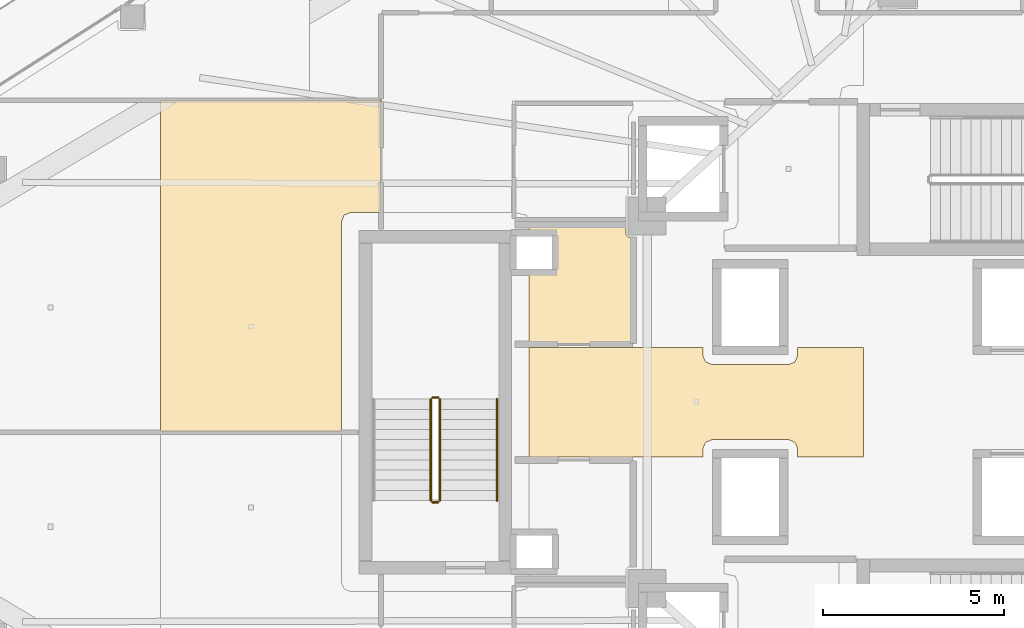
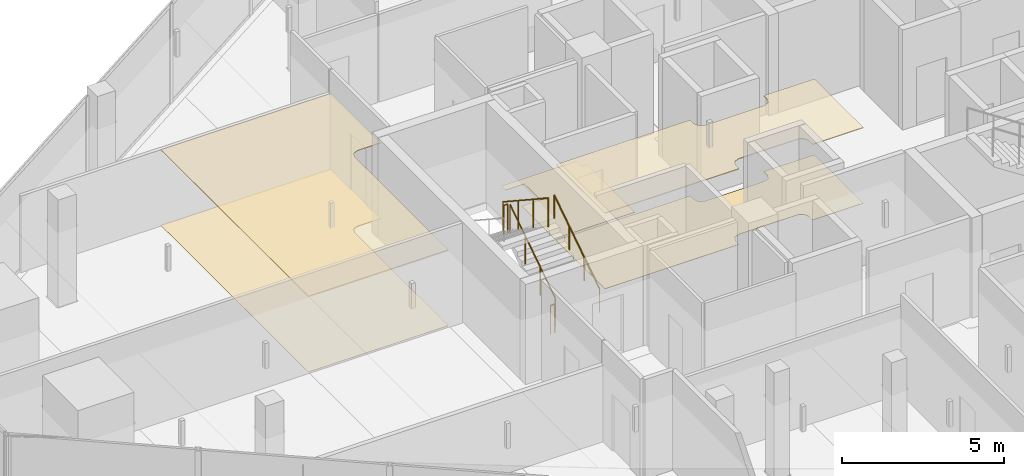
# One storey, part 33 of 38: 5 coverings, 5 railings.
"""IFC4 building model written with IfcOpenShell, lengths in metres."""

from ifc_helpers import new_model, si_unit, direction, frame, origin, origin_2d, place, context, subcontext, project, spatial, polyline, circle, outline, extrude, material, layer, layer_set, type_object, element, save


model = new_model("IFC4")

# Units and contexts
model_context = context("Model", 3, precision=1e-05, world=origin(), true_north=direction((0.0, 1.0)))
body_context = subcontext(model_context, "Body", "Model", "MODEL_VIEW")
ifc_project = project(units=[si_unit("LENGTHUNIT", "METRE"), si_unit("AREAUNIT", "SQUARE_METRE"), si_unit("VOLUMEUNIT", "CUBIC_METRE"), si_unit("PLANEANGLEUNIT", "RADIAN"), si_unit("MASSUNIT", "GRAM", prefix="KILO")], contexts=[model_context])

# Site, building, storey
site_placement = place(None, origin())
site = spatial("IfcSite", under=ifc_project, at=site_placement, CompositionType="ELEMENT")
building_placement = place(site_placement, origin())
building = spatial("IfcBuilding", under=site, at=building_placement, Name="Qorvath Tower", CompositionType="ELEMENT")
storey_placement = place(building_placement, frame((0.0, 0.0, 158.39990234375)))
storey = spatial("IfcBuildingStorey", under=building, at=storey_placement, Name="L36", CompositionType="ELEMENT", Elevation=158.39990234375)

# Coverings
ifc_material_1 = material(Name="Acoustic mineral fibre ceiling tile", Category="gypsum")
ifc_layer_1 = layer(ifc_material_1, 0.030029296875)
ifc_layer_set_1 = layer_set([ifc_layer_1], Name="COV-CEIL")
covering_type_1 = type_object("IfcCoveringType", Name="COV-CEIL", PredefinedType="CEILING", material=ifc_layer_set_1)
covering_1_placement = place(storey_placement, frame((0.0, 0.0, 2.85009765625)))
element("IfcCovering", 1, at=covering_1_placement, inside=storey, type_object=covering_type_1, Name="L36 Suspended Acoustic Ceiling 010", PredefinedType="CEILING", context=body_context, shape_type="SweptSolid", body=[
    extrude(outline(polyline([(-33.760009765625, -1.514892578125), (-28.9599609375, -1.514892578125), (-28.9599609375, -1.2900390625), (-28.88671875, -1.11328125), (-28.7099609375, -1.0400390625), (-26.590087890625, -1.0400390625), (-26.413330078125, -1.11328125), (-26.340087890625, -1.2900390625), (-26.340087890625, -1.514892578125), (-24.521484375, -1.514892578125), (-24.521484375, 1.514892578125), (-26.340087890625, 1.514892578125), (-26.340087890625, 1.2900390625), (-26.413330078125, 1.11328125), (-26.590087890625, 1.0400390625), (-28.7099609375, 1.0400390625), (-28.88671875, 1.11328125), (-28.9599609375, 1.2900390625), (-28.9599609375, 1.514892578125), (-33.760009765625, 1.514892578125), (-33.760009765625, -1.514892578125)])), origin(), (0.0, 0.0, 1.0), 0.030029296875),
])
covering_2_placement = place(storey_placement, frame((0.0, 0.0, 2.85009765625)))
element("IfcCovering", 2, at=covering_2_placement, inside=storey, type_object=covering_type_1, Name="L36 Suspended Acoustic Ceiling 040", PredefinedType="CEILING", context=body_context, shape_type="SweptSolid", body=[
    extrude(outline(polyline([(-37.863037109375, 8.3369140625), (-43.951171875, 8.3369140625), (-43.951171875, -0.816162109375), (-38.949951171875, -0.816162109375), (-38.949951171875, 4.989990234375), (-38.876708984375, 5.166748046875), (-38.699951171875, 5.239990234375), (-37.863037109375, 5.239990234375), (-37.863037109375, 8.3369140625)])), origin(), (0.0, 0.0, 1.0), 0.030029296875),
])
ifc_material_2 = material(Name="Low-VOC modular carpet tile", Category="textile")
ifc_layer_2 = layer(ifc_material_2, 0.014892578125)
ifc_layer_set_2 = layer_set([ifc_layer_2], Name="COV-FLOOR-CPT")
covering_type_2 = type_object("IfcCoveringType", Name="COV-FLOOR-CPT", PredefinedType="FLOORING", material=ifc_layer_set_2)
covering_3_placement = place(storey_placement, origin())
element("IfcCovering", 3, at=covering_3_placement, inside=storey, type_object=covering_type_2, Name="L36 Floor Finish 005", PredefinedType="FLOORING", context=body_context, shape_type="SweptSolid", body=[
    extrude(outline(polyline([(-31.0849609375, 4.89501953125), (-33.760009765625, 4.89501953125), (-33.760009765625, 4.633056640625), (-33.08837890625, 4.631591796875), (-33.0869140625, 3.64208984375), (-33.760009765625, 3.636962890625), (-33.760009765625, 1.60498046875), (-30.885009765625, 1.60498046875), (-30.885009765625, 4.56494140625), (-31.02490234375, 4.56494140625), (-31.0849609375, 4.625), (-31.0849609375, 4.89501953125)])), origin(), (0.0, 0.0, 1.0), 0.01513671875),
])
covering_4_placement = place(storey_placement, origin())
element("IfcCovering", 4, at=covering_4_placement, inside=storey, type_object=covering_type_2, Name="L36 Floor Finish 040", PredefinedType="FLOORING", context=body_context, shape_type="SweptSolid", body=[
    extrude(outline(polyline([(-37.863037109375, 8.3369140625), (-43.951171875, 8.3369140625), (-43.951171875, -0.816162109375), (-38.949951171875, -0.816162109375), (-38.949951171875, 4.989990234375), (-38.876708984375, 5.166748046875), (-38.699951171875, 5.239990234375), (-37.863037109375, 5.239990234375), (-37.863037109375, 8.3369140625)])), origin(), (0.0, 0.0, 1.0), 0.01513671875),
])
ifc_material_3 = material(Name="Polished epoxy terrazzo flooring", Category="concrete")
ifc_layer_3 = layer(ifc_material_3, 0.02001953125)
ifc_layer_set_3 = layer_set([ifc_layer_3], Name="COV-FLOOR-TRZ")
covering_type_3 = type_object("IfcCoveringType", Name="COV-FLOOR-TRZ", PredefinedType="FLOORING", material=ifc_layer_set_3)
covering_5_placement = place(storey_placement, origin())
element("IfcCovering", 5, at=covering_5_placement, inside=storey, type_object=covering_type_3, Name="L36 Floor Finish 010", PredefinedType="FLOORING", context=body_context, shape_type="SweptSolid", body=[
    extrude(outline(polyline([(-33.760009765625, -1.514892578125), (-28.9599609375, -1.514892578125), (-28.9599609375, -1.2900390625), (-28.88671875, -1.11328125), (-28.7099609375, -1.0400390625), (-26.590087890625, -1.0400390625), (-26.413330078125, -1.11328125), (-26.340087890625, -1.2900390625), (-26.340087890625, -1.514892578125), (-24.521484375, -1.514892578125), (-24.521484375, 1.514892578125), (-26.340087890625, 1.514892578125), (-26.340087890625, 1.2900390625), (-26.413330078125, 1.11328125), (-26.590087890625, 1.0400390625), (-28.7099609375, 1.0400390625), (-28.88671875, 1.11328125), (-28.9599609375, 1.2900390625), (-28.9599609375, 1.514892578125), (-33.760009765625, 1.514892578125), (-33.760009765625, -1.514892578125)])), origin(), (0.0, 0.0, 1.0), 0.01513671875),
])

# Railings
ifc_material_4 = material(Name="Painted galvanised steel", Category="steel")
railing_type_1 = type_object("IfcRailingType", Name="RL-STR-GRD", PredefinedType="GUARDRAIL", material=ifc_material_4)
railing_1_placement = place(storey_placement, frame((-36.22998046875, -2.719970703125, 0.18408203125)))
element("IfcRailing", 6, at=railing_1_placement, inside=storey, type_object=railing_type_1, Name="L36 TS3 stair guard 1", PredefinedType="GUARDRAIL", context=body_context, shape_type="SweptSolid", body=[
    extrude(circle(Radius=0.02392578125, at=origin_2d()), frame((0.0, 0.0, 1.076171875), z_axis=(0.0, 0.83556406348, 0.549393024911), x_axis=(-1.0, 0.0, 0.0)), (0.0, 0.0, 1.0), 3.35107421875),
    extrude(circle(Radius=0.02099609375, at=origin_2d()), origin(), (0.0, 0.0, 1.0), 1.052001953125),
    extrude(circle(Radius=0.02099609375, at=origin_2d()), frame((0.0, 0.933349609375, 0.61376953125)), (0.0, 0.0, 1.0), 1.052001953125),
    extrude(circle(Radius=0.02099609375, at=origin_2d()), frame((0.0, 1.86669921875, 1.227294921875)), (0.0, 0.0, 1.0), 1.052001953125),
    extrude(circle(Radius=0.02099609375, at=origin_2d()), frame((0.0, 2.800048828125, 1.841064453125)), (0.0, 0.0, 1.0), 1.052001953125),
])
railing_2_placement = place(storey_placement, frame((-36.280029296875, 0.1298828125, 2.025146484375)))
element("IfcRailing", 7, at=railing_2_placement, inside=storey, type_object=railing_type_1, Name="L36 TS3 stair guard 2", PredefinedType="GUARDRAIL", context=body_context, shape_type="SweptSolid", body=[
    extrude(circle(Radius=0.02392578125, at=origin_2d()), frame((0.0, 0.0, 1.076171875), z_axis=(-1.0, 0.0, 0.0), x_axis=(0.0, -1.0, 0.0)), (0.0, 0.0, 1.0), 0.14990234375),
    extrude(circle(Radius=0.02099609375, at=origin_2d()), origin(), (0.0, 0.0, 1.0), 1.052001953125),
    extrude(circle(Radius=0.02099609375, at=origin_2d()), frame((-0.14990234375, 0.0, 0.0)), (0.0, 0.0, 1.0), 1.052001953125),
])
railing_3_placement = place(storey_placement, frame((-36.47998046875, 0.080078125, 2.209228515625)))
element("IfcRailing", 8, at=railing_3_placement, inside=storey, type_object=railing_type_1, Name="L36 TS3 stair guard 3", PredefinedType="GUARDRAIL", context=body_context, shape_type="SweptSolid", body=[
    extrude(circle(Radius=0.02392578125, at=origin_2d()), frame((0.0, 0.0, 1.076171875), z_axis=(0.0, -0.835597507184, 0.549342157483), x_axis=(1.0, 0.0, 0.0)), (0.0, 0.0, 1.0), 3.35107421875),
    extrude(circle(Radius=0.02099609375, at=origin_2d()), origin(), (0.0, 0.0, 1.0), 1.052001953125),
    extrude(circle(Radius=0.02099609375, at=origin_2d()), frame((0.0, -0.933349609375, 0.613525390625)), (0.0, 0.0, 1.0), 1.052001953125),
    extrude(circle(Radius=0.02099609375, at=origin_2d()), frame((0.0, -1.86669921875, 1.227294921875)), (0.0, 0.0, 1.0), 1.052001953125),
    extrude(circle(Radius=0.02099609375, at=origin_2d()), frame((0.0, -2.800048828125, 1.8408203125)), (0.0, 0.0, 1.0), 1.052001953125),
])
railing_4_placement = place(storey_placement, frame((-36.280029296875, -2.77001953125, 0.0)))
element("IfcRailing", 9, at=railing_4_placement, inside=storey, type_object=railing_type_1, Name="L36 TS3 stair guard 4", PredefinedType="GUARDRAIL", context=body_context, shape_type="SweptSolid", body=[
    extrude(circle(Radius=0.02392578125, at=origin_2d()), frame((0.0, 0.0, 1.076171875), z_axis=(-1.0, 0.0, 0.0), x_axis=(0.0, -1.0, 0.0)), (0.0, 0.0, 1.0), 0.14990234375),
    extrude(circle(Radius=0.02099609375, at=origin_2d()), origin(), (0.0, 0.0, 1.0), 1.052001953125),
    extrude(circle(Radius=0.02099609375, at=origin_2d()), frame((-0.14990234375, 0.0, 0.0)), (0.0, 0.0, 1.0), 1.052001953125),
])
ifc_material_5 = material(Name="Brushed stainless steel AISI 304", Category="steel")
railing_type_2 = type_object("IfcRailingType", Name="RL-STR-HND", PredefinedType="HANDRAIL", material=ifc_material_5)
railing_5_placement = place(storey_placement, frame((-34.64990234375, -2.719970703125, 0.18408203125)))
element("IfcRailing", 10, at=railing_5_placement, inside=storey, type_object=railing_type_2, Name="L36 TS3 stair handrail 1", PredefinedType="HANDRAIL", context=body_context, shape_type="SweptSolid", body=[
    extrude(circle(Radius=0.02392578125, at=origin_2d()), frame((0.0, 0.0, 0.8759765625), z_axis=(0.0, 0.83556406348, 0.549393024911), x_axis=(-1.0, 0.0, 0.0)), (0.0, 0.0, 1.0), 3.35107421875),
    extrude(circle(Radius=0.02099609375, at=origin_2d()), origin(), (0.0, 0.0, 1.0), 0.851806640625),
    extrude(circle(Radius=0.02099609375, at=origin_2d()), frame((0.0, 0.933349609375, 0.61376953125)), (0.0, 0.0, 1.0), 0.851806640625),
    extrude(circle(Radius=0.02099609375, at=origin_2d()), frame((0.0, 1.86669921875, 1.227294921875)), (0.0, 0.0, 1.0), 0.851806640625),
    extrude(circle(Radius=0.02099609375, at=origin_2d()), frame((0.0, 2.800048828125, 1.841064453125)), (0.0, 0.0, 1.0), 0.851806640625),
])

save(model, "model.ifc")
